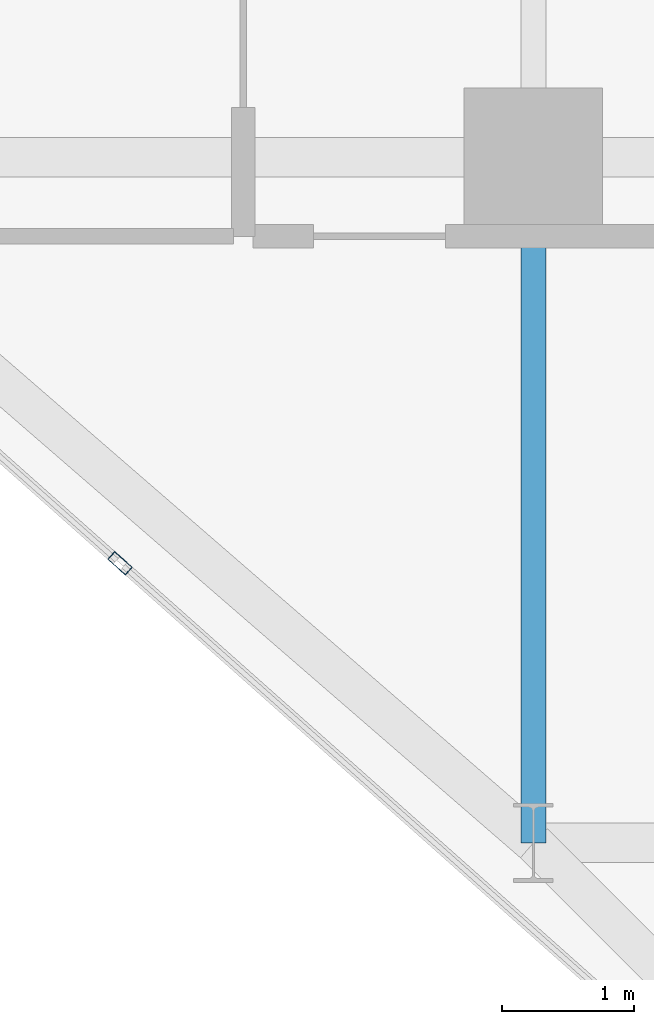
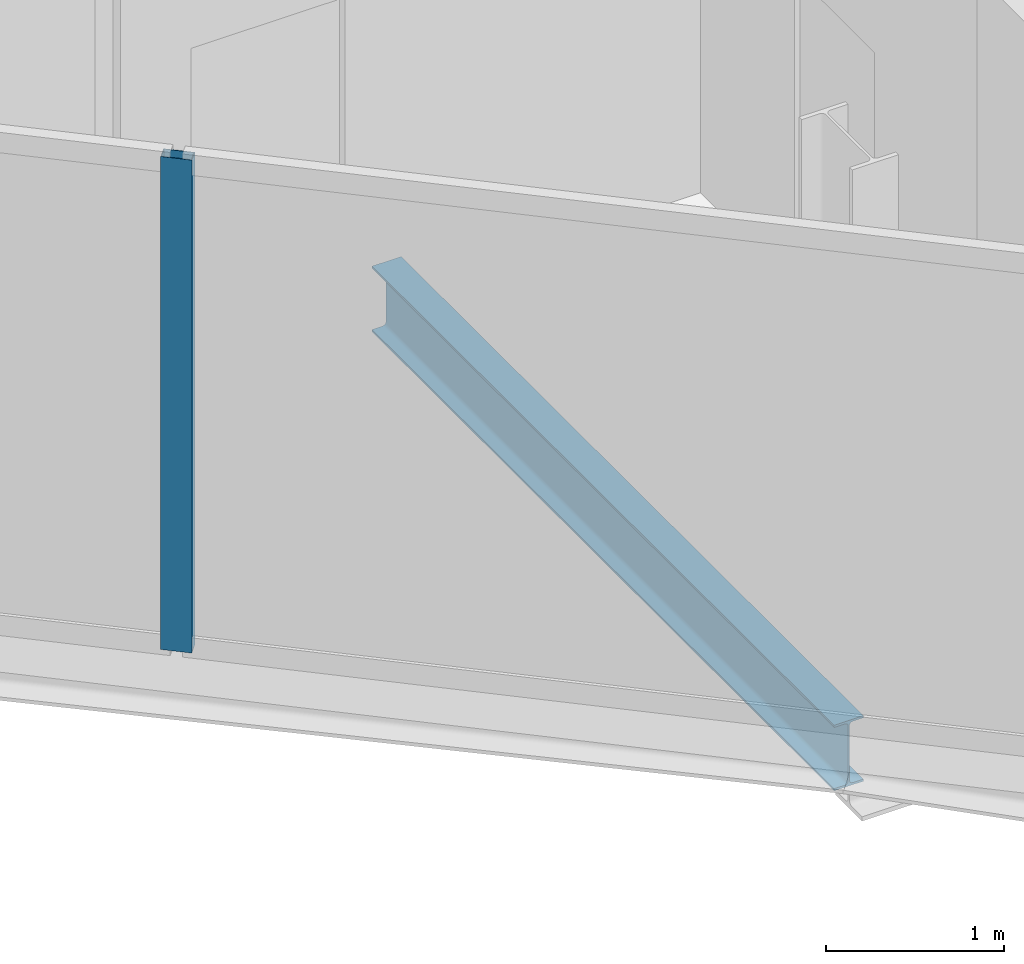
# One storey, part 3 of 30: 1 beam, 1 member, 1 element without a shape of its own.
"""IFC4 building model written with IfcOpenShell, lengths in metres."""

from ifc_helpers import new_model, si_unit, direction, frame, origin, origin_2d, place, context, subcontext, project, spatial, hollow_rectangle, i_section, extrude, material, layer, layer_set, material_profile, profile_set, type_object, element, aggregate, save


model = new_model("IFC4")

# Units and contexts
model_context = context("Model", 3, precision=1e-05, world=origin(), true_north=direction((0.0, 1.0)))
body_context = subcontext(model_context, "Body", "Model", "MODEL_VIEW")
ifc_project = project(units=[si_unit("LENGTHUNIT", "METRE"), si_unit("AREAUNIT", "SQUARE_METRE"), si_unit("VOLUMEUNIT", "CUBIC_METRE"), si_unit("PLANEANGLEUNIT", "RADIAN"), si_unit("MASSUNIT", "GRAM", prefix="KILO")], contexts=[model_context])

# Site, building, storey
site_placement = place(None, origin())
site = spatial("IfcSite", under=ifc_project, at=site_placement, CompositionType="ELEMENT")
building_placement = place(site_placement, origin())
building = spatial("IfcBuilding", under=site, at=building_placement, Name="Keshet Zoharim Tower", CompositionType="ELEMENT")
storey_placement = place(building_placement, frame((0.0, 0.0, 109.39990234375)))
storey = spatial("IfcBuildingStorey", under=building, at=storey_placement, Name="L26", CompositionType="ELEMENT", Elevation=109.39990234375)

# Beam
ifc_material_1 = material(Name="Steel S355", Category="steel")
ifc_material_profile_1 = material_profile(ifc_material_1, i_section(OverallWidth=0.18994140625, OverallDepth=0.449951171875, WebThickness=0.009521484375, FlangeThickness=0.0146484375, FilletRadius=0.02099609375, at=origin_2d()), Name="IPE450")
ifc_profile_set_1 = profile_set([ifc_material_profile_1], Name="Steel S355")
beam_type = type_object("IfcBeamType", Name="BM-PRI-IP450", PredefinedType="BEAM", material=ifc_profile_set_1)
beam_placement = place(storey_placement, frame((15.0, 12.699951171875, -0.539794921875), z_axis=(0.0, 1.0, 0.0), x_axis=(-1.0, 0.0, 0.0)))
element("IfcBeam", 1, at=beam_placement, inside=storey, type_object=beam_type, Name="L26 Primary Girder Y-002", PredefinedType="BEAM", context=body_context, shape_type="SweptSolid", body=[
    extrude(i_section(OverallWidth=0.18994140625, OverallDepth=0.449951171875, WebThickness=0.009521484375, FlangeThickness=0.0146484375, FilletRadius=0.02099609375, at=origin_2d()), origin(), (0.0, 0.0, 1.0), 5.199951171875),
])

# Curtain wall, member
ifc_material_2 = material(Name="Aluminium 6063-T6", Category="aluminium")
ifc_layer = layer(ifc_material_2, 0.159912109375)
ifc_layer_set = layer_set([ifc_layer], Name="Aluminium 6063-T6")
curtain_wall_type = type_object("IfcCurtainWallType", Name="CW-SYS-03", PredefinedType="NOTDEFINED", material=ifc_layer_set)
curtain_wall_placement = place(storey_placement, origin())
curtain_wall = element("IfcCurtainWall", 2, at=curtain_wall_placement, inside=storey, type_object=curtain_wall_type, Name="L26 Unitised Curtain Wall 07 Part 2", PredefinedType="NOTDEFINED")
ifc_material_profile_2 = material_profile(ifc_material_2, hollow_rectangle(XDim=0.080078125, YDim=0.179931640625, WallThickness=0.00439453125, at=origin_2d()), Name="MUL-80x180")
ifc_profile_set_2 = profile_set([ifc_material_profile_2], Name="Aluminium 6063-T6")
member_type = type_object("IfcMemberType", Name="CWM-M18", PredefinedType="MULLION", material=ifc_profile_set_2)
member_placement = place(storey_placement, frame((11.864990234375, 14.820068359375, 0.0), z_axis=(0.0, 0.0, 1.0), x_axis=(-0.664361765187, -0.747411161917, 0.0)))
member = element("IfcMember", 3, at=member_placement, type_object=member_type, Name="CW-03 mullion 2", PredefinedType="MULLION", context=body_context, shape_type="SweptSolid", body=[
    extrude(hollow_rectangle(XDim=0.080078125, YDim=0.179931640625, WallThickness=0.00439453125, at=origin_2d()), origin(), (0.0, 0.0, 1.0), 3.385009765625),
])
aggregate(curtain_wall, [member])

save(model, "model.ifc")
